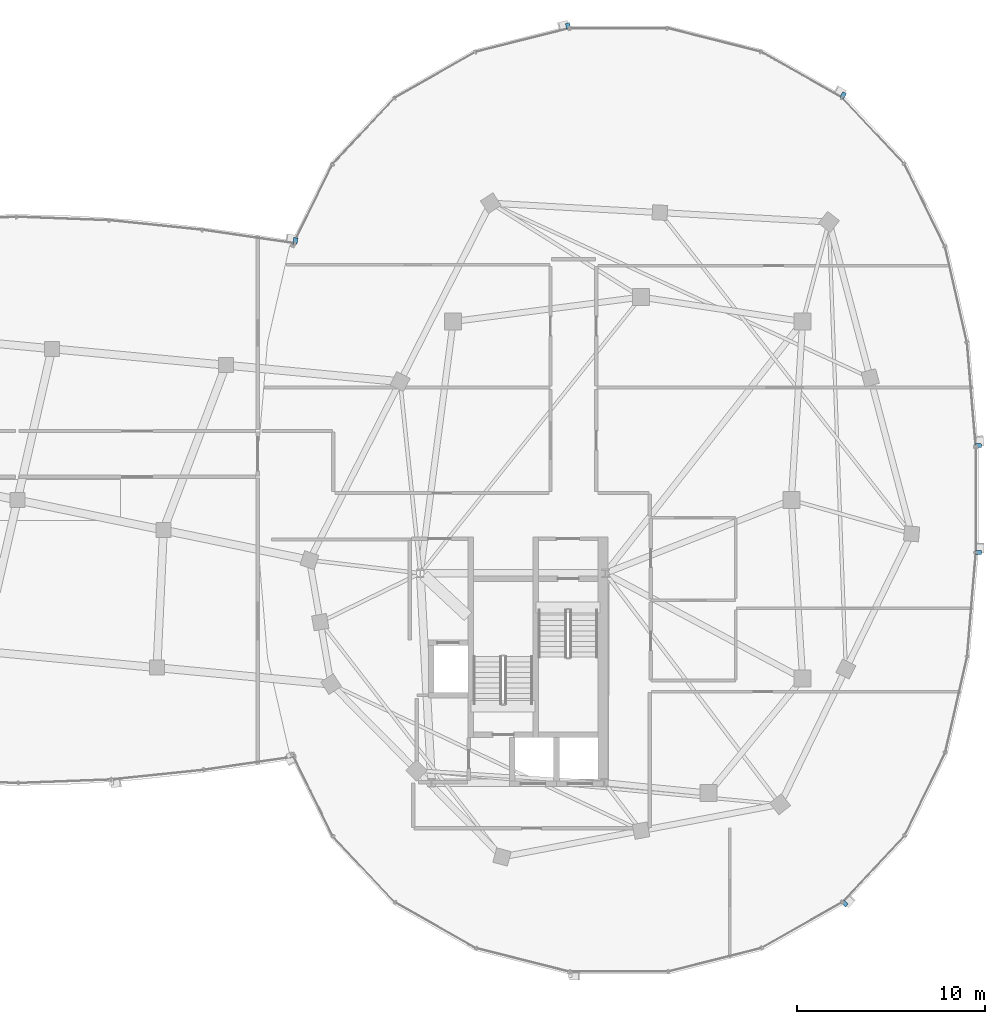
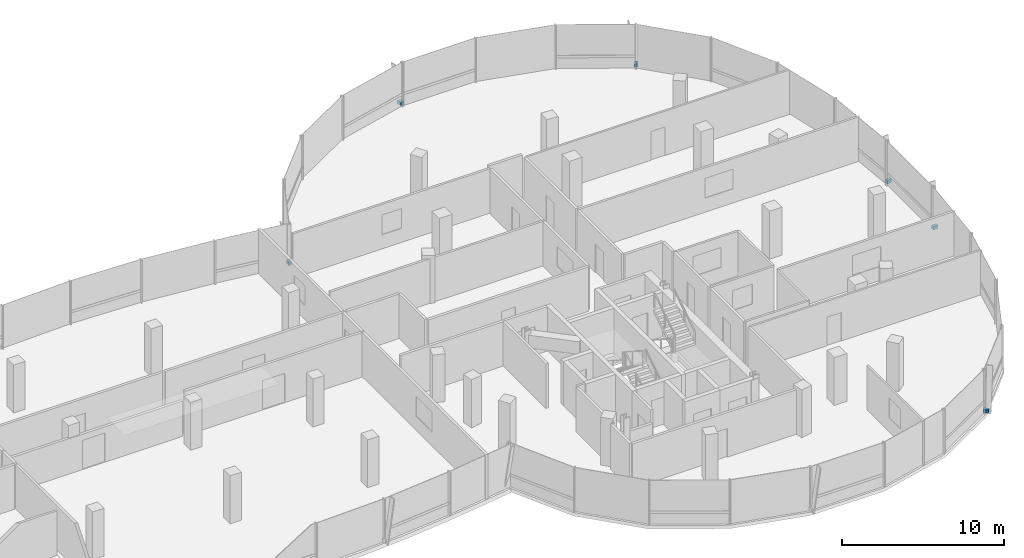
# One storey, part 20 of 26: 6 discrete accessories.
"""IFC4 building model written with IfcOpenShell, lengths in metres."""

from ifc_helpers import new_model, si_unit, direction, frame, origin, origin_2d, place, context, subcontext, project, spatial, rectangle, extrude, material, type_object, element, save


model = new_model("IFC4")

# Units and contexts
model_context = context("Model", 3, precision=1e-05, world=origin(), true_north=direction((0.0, 1.0)))
body_context = subcontext(model_context, "Body", "Model", "MODEL_VIEW")
ifc_project = project(units=[si_unit("LENGTHUNIT", "METRE"), si_unit("AREAUNIT", "SQUARE_METRE"), si_unit("VOLUMEUNIT", "CUBIC_METRE"), si_unit("PLANEANGLEUNIT", "RADIAN"), si_unit("MASSUNIT", "GRAM", prefix="KILO"), si_unit("THERMODYNAMICTEMPERATUREUNIT", "KELVIN"), si_unit("POWERUNIT", "WATT")], contexts=[model_context])

# Site, building, storey
site_placement = place(None, origin())
site = spatial("IfcSite", under=ifc_project, at=site_placement, CompositionType="ELEMENT")
building_placement = place(site_placement, origin())
building = spatial("IfcBuilding", under=site, at=building_placement, Name="Cundina Bronze Exchange", CompositionType="ELEMENT")
storey_placement = place(building_placement, frame((0.0, 0.0, 243.199951171875)))
storey = spatial("IfcBuildingStorey", under=building, at=storey_placement, Name="L64", CompositionType="ELEMENT", Elevation=243.199951171875)

# Discrete accessories
ifc_material = material(Name="Anodised Bronze Aluminium 6063-T6", Category="aluminium")
discrete_accessory_type = type_object("IfcDiscreteAccessoryType", Name="ACC-BRK-FIN", PredefinedType="BRACKET", material=ifc_material)
for number, where, z_axis, x_axis, name in (
    (1, (51.154541015625, 2.897216796875, 0.10009765625), (0.0, 0.0, 1.0), (-0.083747411454, 0.996487015006, 0.0), "L64 Fin Support Bracket 1"),
    (2, (43.958251953125, 21.54150390625, 0.10009765625), (0.0, 0.0, 1.0), (-0.869572506985, 0.493805280547, 0.0), "L64 Fin Support Bracket 5"),
    (3, (29.317626953125, 25.23681640625, 0.10009765625), (0.0, 0.0, 1.0), (-0.969731542251, -0.244173577528, 0.0), "L64 Fin Support Bracket 1"),
    (4, (44.042236328125, -21.4755859375, 0.10009765625), (0.0, 0.0, 1.0), (0.684343512797, 0.72915976061, 0.0), "L64 Fin Support Bracket 1"),
    (5, (51.158935546875, -2.79150390625, 0.10009765625), (0.0, 0.0, 1.0), (0.0, 1.0, 0.0), "L64 Fin Support Bracket 5"),
    (6, (14.799560546875, 13.79736328125, 0.10009765625), (0.0, 0.0, 1.0), (-0.989528308409, 0.144338930496, 0.0), "L64 Fin Support Bracket 1"),
):
    element("IfcDiscreteAccessory", number, at=place(storey_placement, frame(where, z_axis=z_axis, x_axis=x_axis)), inside=storey, type_object=discrete_accessory_type, Name=name, PredefinedType="BRACKET", context=body_context, shape_type="SweptSolid", body=[
        extrude(rectangle(XDim=0.219970703125, YDim=0.320068359375, at=origin_2d()), origin(), (0.0, 0.0, 1.0), 0.239990234375),
    ])

save(model, "model.ifc")
